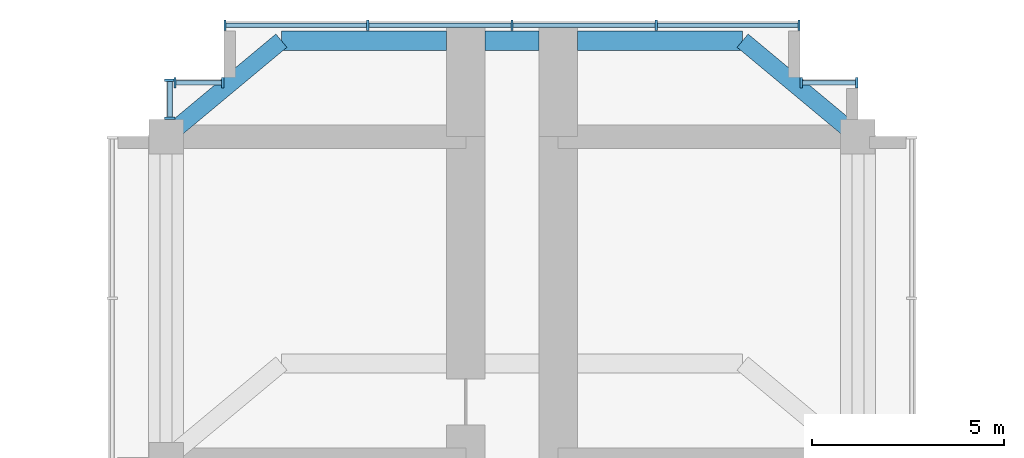
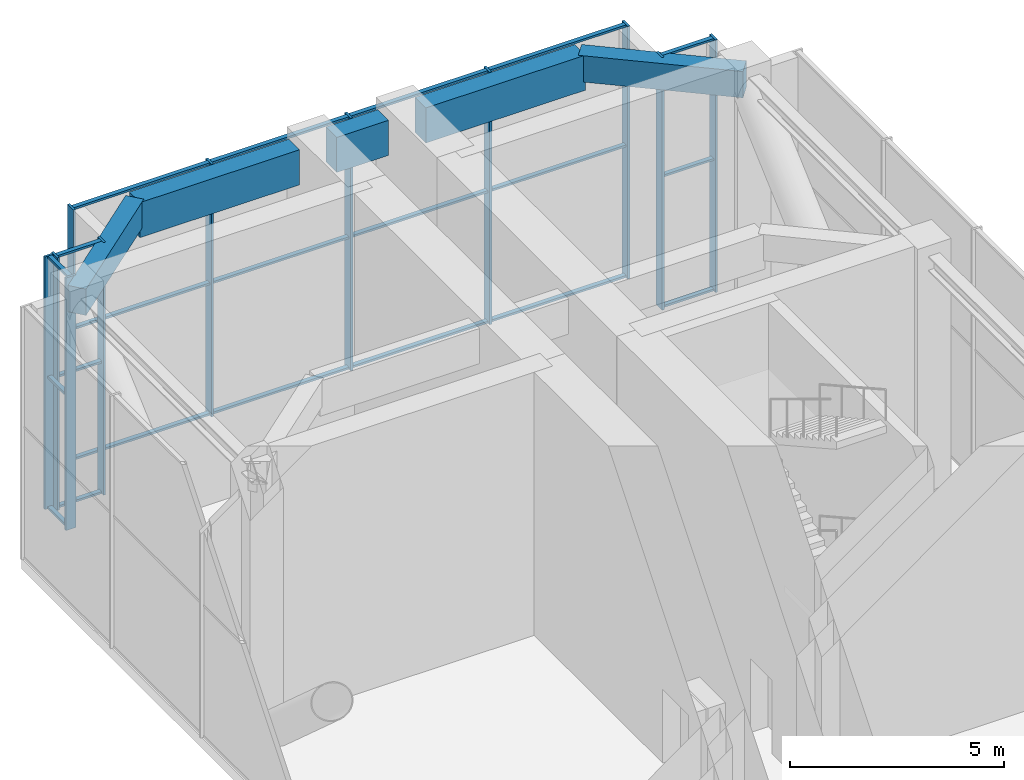
# One storey, part 8 of 16: 32 members, 5 beams, 4 elements without a shape of their own.
"""IFC4 building model written with IfcOpenShell, lengths in metres."""

from ifc_helpers import new_model, si_unit, direction, frame, origin, origin_2d, place, context, subcontext, project, spatial, rectangle, extrude, material, material_profile, profile_set, type_object, element, aggregate, save


model = new_model("IFC4")

# Units and contexts
model_context = context("Model", 3, precision=1e-05, world=origin(), true_north=direction((0.0, 1.0)))
body_context = subcontext(model_context, "Body", "Model", "MODEL_VIEW")
ifc_project = project(units=[si_unit("LENGTHUNIT", "METRE"), si_unit("AREAUNIT", "SQUARE_METRE"), si_unit("VOLUMEUNIT", "CUBIC_METRE"), si_unit("PLANEANGLEUNIT", "RADIAN"), si_unit("MASSUNIT", "GRAM", prefix="KILO")], contexts=[model_context])

# Site, building, storey
site_placement = place(None, origin())
site = spatial("IfcSite", under=ifc_project, at=site_placement, CompositionType="ELEMENT")
building_placement = place(site_placement, origin())
building = spatial("IfcBuilding", under=site, at=building_placement, Name="Impinga Residences", CompositionType="ELEMENT")
storey_placement = place(building_placement, frame((0.0, 0.0, 181.0)))
storey = spatial("IfcBuildingStorey", under=building, at=storey_placement, Name="L45", CompositionType="ELEMENT", Elevation=181.0)

# Beams
ifc_material_1 = material(Name="Concrete C60/75", Category="concrete")
ifc_material_profile_1 = material_profile(ifc_material_1, rectangle(XDim=0.449951171875, YDim=0.75, at=origin_2d()), Name="RC 450x750")
ifc_profile_set_1 = profile_set([ifc_material_profile_1], Name="Concrete C60/75")
beam_type_1 = type_object("IfcBeamType", Name="CB1 450x750 wing end cantilever beam", PredefinedType="BEAM", material=ifc_profile_set_1)
for number, where, z_axis, x_axis, name in (
    (1, (-9.0, 36.631591796875, 6.824951171875), (0.768221279597, 0.640184399664, 0.0), (-0.640184399664, 0.768221279597, 0.0), "Beam CB1 NB N4-NX level L46"),
    (2, (9.0, 36.631591796875, 6.824951171875), (-0.768221279597, 0.640184399664, 0.0), (-0.640184399664, -0.768221279597, 0.0), "Beam CB1 NE N4-NX level L46"),
):
    element("IfcBeam", number, at=place(storey_placement, frame(where, z_axis=z_axis, x_axis=x_axis)), inside=storey, type_object=beam_type_1, Name=name, PredefinedType="BEAM", context=body_context, shape_type="SweptSolid", body=[
        extrude(rectangle(XDim=0.449951171875, YDim=0.75, at=origin_2d()), origin(), (0.0, 0.0, 1.0), 3.905029296875),
    ])

# Curtain wall, members
ifc_material_2 = material(Name="Aluminium stick curtain wall", Category="aluminium")
curtain_wall_type = type_object("IfcCurtainWallType", Name="CW4 plant floor louvred curtain wall", PredefinedType="USERDEFINED", material=ifc_material_2)
curtain_wall_1_placement = place(storey_placement, origin())
curtain_wall_1 = element("IfcCurtainWall", 3, at=curtain_wall_1_placement, inside=storey, type_object=curtain_wall_type, Name="Curtain wall CW4 L45", ObjectType="STICK CURTAIN WALL", PredefinedType="USERDEFINED")
ifc_material_3 = material(Name="Aluminium mullion", Category="aluminium")
ifc_material_profile_2 = material_profile(ifc_material_3, rectangle(XDim=0.06005859375, YDim=0.27490234375, at=origin_2d()), Name="60x275 mullion")
ifc_profile_set_2 = profile_set([ifc_material_profile_2], Name="Aluminium mullion")
member_type_1 = type_object("IfcMemberType", Name="CW4-M mullion 60x275", PredefinedType="MULLION", material=ifc_profile_set_2)
member_1_placement = place(storey_placement, frame((-8.89990234375, 37.114501953125, 0.0), z_axis=(0.0, 0.0, 1.0), x_axis=(0.0, 1.0, 0.0)))
member_1 = element("IfcMember", 4, at=member_1_placement, type_object=member_type_1, Name="CW4 mullion 1", PredefinedType="MULLION", context=body_context, shape_type="SweptSolid", body=[
    extrude(rectangle(XDim=0.06005859375, YDim=0.27490234375, at=origin_2d()), origin(), (0.0, 0.0, 1.0), 7.199951171875),
])
member_2_placement = place(storey_placement, frame((-8.89990234375, 38.1015625, 0.0), z_axis=(0.0, 0.0, 1.0), x_axis=(0.0, 1.0, 0.0)))
member_2 = element("IfcMember", 5, at=member_2_placement, type_object=member_type_1, Name="CW4 mullion 2", PredefinedType="MULLION", context=body_context, shape_type="SweptSolid", body=[
    extrude(rectangle(XDim=0.06005859375, YDim=0.27490234375, at=origin_2d()), origin(), (0.0, 0.0, 1.0), 7.199951171875),
])

curtain_wall_2_placement = place(storey_placement, origin())
curtain_wall_2 = element("IfcCurtainWall", 6, at=curtain_wall_2_placement, inside=storey, type_object=curtain_wall_type, Name="Curtain wall CW4 L45", ObjectType="STICK CURTAIN WALL", PredefinedType="USERDEFINED")
member_3_placement = place(storey_placement, frame((-8.77001953125, 38.031494140625, 0.0), z_axis=(0.0, 0.0, 1.0), x_axis=(1.0, 0.0, 0.0)))
member_3 = element("IfcMember", 7, at=member_3_placement, type_object=member_type_1, Name="CW4 mullion 1", PredefinedType="MULLION", context=body_context, shape_type="SweptSolid", body=[
    extrude(rectangle(XDim=0.06005859375, YDim=0.27490234375, at=origin_2d()), origin(), (0.0, 0.0, 1.0), 7.199951171875),
])
member_4_placement = place(storey_placement, frame((-7.530029296875, 38.031494140625, 0.0), z_axis=(0.0, 0.0, 1.0), x_axis=(1.0, 0.0, 0.0)))
member_4 = element("IfcMember", 8, at=member_4_placement, type_object=member_type_1, Name="CW4 mullion 2", PredefinedType="MULLION", context=body_context, shape_type="SweptSolid", body=[
    extrude(rectangle(XDim=0.06005859375, YDim=0.27490234375, at=origin_2d()), origin(), (0.0, 0.0, 1.0), 7.199951171875),
])

curtain_wall_3_placement = place(storey_placement, origin())
curtain_wall_3 = element("IfcCurtainWall", 9, at=curtain_wall_3_placement, inside=storey, type_object=curtain_wall_type, Name="Curtain wall CW4 L45", ObjectType="STICK CURTAIN WALL", PredefinedType="USERDEFINED")
member_5_placement = place(storey_placement, frame((-7.469970703125, 39.531494140625, 0.0), z_axis=(0.0, 0.0, 1.0), x_axis=(1.0, 0.0, 0.0)))
member_5 = element("IfcMember", 10, at=member_5_placement, type_object=member_type_1, Name="CW4 mullion 1", PredefinedType="MULLION", context=body_context, shape_type="SweptSolid", body=[
    extrude(rectangle(XDim=0.06005859375, YDim=0.27490234375, at=origin_2d()), origin(), (0.0, 0.0, 1.0), 7.199951171875),
])
member_6_placement = place(storey_placement, frame((-3.75, 39.531494140625, 0.0), z_axis=(0.0, 0.0, 1.0), x_axis=(1.0, 0.0, 0.0)))
member_6 = element("IfcMember", 11, at=member_6_placement, type_object=member_type_1, Name="CW4 mullion 2", PredefinedType="MULLION", context=body_context, shape_type="SweptSolid", body=[
    extrude(rectangle(XDim=0.06005859375, YDim=0.27490234375, at=origin_2d()), origin(), (0.0, 0.0, 1.0), 7.199951171875),
])
member_7_placement = place(storey_placement, frame((0.0, 39.531494140625, 0.0), z_axis=(0.0, 0.0, 1.0), x_axis=(1.0, 0.0, 0.0)))
member_7 = element("IfcMember", 12, at=member_7_placement, type_object=member_type_1, Name="CW4 mullion 3", PredefinedType="MULLION", context=body_context, shape_type="SweptSolid", body=[
    extrude(rectangle(XDim=0.06005859375, YDim=0.27490234375, at=origin_2d()), origin(), (0.0, 0.0, 1.0), 7.199951171875),
])
member_8_placement = place(storey_placement, frame((3.75, 39.531494140625, 0.0), z_axis=(0.0, 0.0, 1.0), x_axis=(1.0, 0.0, 0.0)))
member_8 = element("IfcMember", 13, at=member_8_placement, type_object=member_type_1, Name="CW4 mullion 4", PredefinedType="MULLION", context=body_context, shape_type="SweptSolid", body=[
    extrude(rectangle(XDim=0.06005859375, YDim=0.27490234375, at=origin_2d()), origin(), (0.0, 0.0, 1.0), 7.199951171875),
])
member_9_placement = place(storey_placement, frame((7.469970703125, 39.531494140625, 0.0), z_axis=(0.0, 0.0, 1.0), x_axis=(1.0, 0.0, 0.0)))
member_9 = element("IfcMember", 14, at=member_9_placement, type_object=member_type_1, Name="CW4 mullion 5", PredefinedType="MULLION", context=body_context, shape_type="SweptSolid", body=[
    extrude(rectangle(XDim=0.06005859375, YDim=0.27490234375, at=origin_2d()), origin(), (0.0, 0.0, 1.0), 7.199951171875),
])

curtain_wall_4_placement = place(storey_placement, origin())
curtain_wall_4 = element("IfcCurtainWall", 15, at=curtain_wall_4_placement, inside=storey, type_object=curtain_wall_type, Name="Curtain wall CW4 L45", ObjectType="STICK CURTAIN WALL", PredefinedType="USERDEFINED")
member_10_placement = place(storey_placement, frame((7.530029296875, 38.031494140625, 0.0), z_axis=(0.0, 0.0, 1.0), x_axis=(1.0, 0.0, 0.0)))
member_10 = element("IfcMember", 16, at=member_10_placement, type_object=member_type_1, Name="CW4 mullion 1", PredefinedType="MULLION", context=body_context, shape_type="SweptSolid", body=[
    extrude(rectangle(XDim=0.06005859375, YDim=0.27490234375, at=origin_2d()), origin(), (0.0, 0.0, 1.0), 7.199951171875),
])
member_11_placement = place(storey_placement, frame((8.969970703125, 38.031494140625, 0.0), z_axis=(0.0, 0.0, 1.0), x_axis=(1.0, 0.0, 0.0)))
member_11 = element("IfcMember", 17, at=member_11_placement, type_object=member_type_1, Name="CW4 mullion 2", PredefinedType="MULLION", context=body_context, shape_type="SweptSolid", body=[
    extrude(rectangle(XDim=0.06005859375, YDim=0.27490234375, at=origin_2d()), origin(), (0.0, 0.0, 1.0), 7.199951171875),
])

# Member
ifc_material_4 = material(Name="Aluminium transom", Category="aluminium")
ifc_material_profile_3 = material_profile(ifc_material_4, rectangle(XDim=0.06005859375, YDim=0.1201171875, at=origin_2d()), Name="60x120 transom")
ifc_profile_set_3 = profile_set([ifc_material_profile_3], Name="Aluminium transom")
member_type_2 = type_object("IfcMemberType", Name="CW4-T transom 60x120", PredefinedType="USERDEFINED", material=ifc_profile_set_3)
member_12_placement = place(storey_placement, frame((-8.89990234375, 37.14453125, 0.030029296875), z_axis=(0.0, 1.0, 0.0), x_axis=(0.0, 0.0, 1.0)))
member_12 = element("IfcMember", 18, at=member_12_placement, type_object=member_type_2, Name="CW4 transom 1.1", ObjectType="TRANSOM", PredefinedType="USERDEFINED", context=body_context, shape_type="SweptSolid", body=[
    extrude(rectangle(XDim=0.06005859375, YDim=0.1201171875, at=origin_2d()), origin(), (0.0, 0.0, 1.0), 0.927001953125),
])

member_13_placement = place(storey_placement, frame((-8.89990234375, 37.14453125, 3.75), z_axis=(0.0, 1.0, 0.0), x_axis=(0.0, 0.0, 1.0)))
member_13 = element("IfcMember", 19, at=member_13_placement, type_object=member_type_2, Name="CW4 transom 1.2", ObjectType="TRANSOM", PredefinedType="USERDEFINED", context=body_context, shape_type="SweptSolid", body=[
    extrude(rectangle(XDim=0.06005859375, YDim=0.1201171875, at=origin_2d()), origin(), (0.0, 0.0, 1.0), 0.927001953125),
])

member_14_placement = place(storey_placement, frame((-8.89990234375, 37.14453125, 7.169921875), z_axis=(0.0, 1.0, 0.0), x_axis=(0.0, 0.0, 1.0)))
member_14 = element("IfcMember", 20, at=member_14_placement, type_object=member_type_2, Name="CW4 transom 1.3", ObjectType="TRANSOM", PredefinedType="USERDEFINED", context=body_context, shape_type="SweptSolid", body=[
    extrude(rectangle(XDim=0.06005859375, YDim=0.1201171875, at=origin_2d()), origin(), (0.0, 0.0, 1.0), 0.927001953125),
])

aggregate(curtain_wall_1, [member_1, member_2, member_12, member_13, member_14])

member_15_placement = place(storey_placement, frame((-8.739990234375, 38.031494140625, 0.030029296875), z_axis=(1.0, 0.0, 0.0), x_axis=(0.0, 0.0, 1.0)))
member_15 = element("IfcMember", 21, at=member_15_placement, type_object=member_type_2, Name="CW4 transom 1.1", ObjectType="TRANSOM", PredefinedType="USERDEFINED", context=body_context, shape_type="SweptSolid", body=[
    extrude(rectangle(XDim=0.06005859375, YDim=0.1201171875, at=origin_2d()), origin(), (0.0, 0.0, 1.0), 1.179931640625),
])

member_16_placement = place(storey_placement, frame((-8.739990234375, 38.031494140625, 3.75), z_axis=(1.0, 0.0, 0.0), x_axis=(0.0, 0.0, 1.0)))
member_16 = element("IfcMember", 22, at=member_16_placement, type_object=member_type_2, Name="CW4 transom 1.2", ObjectType="TRANSOM", PredefinedType="USERDEFINED", context=body_context, shape_type="SweptSolid", body=[
    extrude(rectangle(XDim=0.06005859375, YDim=0.1201171875, at=origin_2d()), origin(), (0.0, 0.0, 1.0), 1.179931640625),
])

member_17_placement = place(storey_placement, frame((-8.739990234375, 38.031494140625, 7.169921875), z_axis=(1.0, 0.0, 0.0), x_axis=(0.0, 0.0, 1.0)))
member_17 = element("IfcMember", 23, at=member_17_placement, type_object=member_type_2, Name="CW4 transom 1.3", ObjectType="TRANSOM", PredefinedType="USERDEFINED", context=body_context, shape_type="SweptSolid", body=[
    extrude(rectangle(XDim=0.06005859375, YDim=0.1201171875, at=origin_2d()), origin(), (0.0, 0.0, 1.0), 1.179931640625),
])

aggregate(curtain_wall_2, [member_3, member_4, member_15, member_16, member_17])

member_18_placement = place(storey_placement, frame((-7.43994140625, 39.531494140625, 0.030029296875), z_axis=(1.0, 0.0, 0.0), x_axis=(0.0, 0.0, 1.0)))
member_18 = element("IfcMember", 24, at=member_18_placement, type_object=member_type_2, Name="CW4 transom 1.1", ObjectType="TRANSOM", PredefinedType="USERDEFINED", context=body_context, shape_type="SweptSolid", body=[
    extrude(rectangle(XDim=0.06005859375, YDim=0.1201171875, at=origin_2d()), origin(), (0.0, 0.0, 1.0), 3.659912109375),
])

member_19_placement = place(storey_placement, frame((-7.43994140625, 39.531494140625, 3.75), z_axis=(1.0, 0.0, 0.0), x_axis=(0.0, 0.0, 1.0)))
member_19 = element("IfcMember", 25, at=member_19_placement, type_object=member_type_2, Name="CW4 transom 1.2", ObjectType="TRANSOM", PredefinedType="USERDEFINED", context=body_context, shape_type="SweptSolid", body=[
    extrude(rectangle(XDim=0.06005859375, YDim=0.1201171875, at=origin_2d()), origin(), (0.0, 0.0, 1.0), 3.659912109375),
])

member_20_placement = place(storey_placement, frame((-7.43994140625, 39.531494140625, 7.169921875), z_axis=(1.0, 0.0, 0.0), x_axis=(0.0, 0.0, 1.0)))
member_20 = element("IfcMember", 26, at=member_20_placement, type_object=member_type_2, Name="CW4 transom 1.3", ObjectType="TRANSOM", PredefinedType="USERDEFINED", context=body_context, shape_type="SweptSolid", body=[
    extrude(rectangle(XDim=0.06005859375, YDim=0.1201171875, at=origin_2d()), origin(), (0.0, 0.0, 1.0), 3.659912109375),
])

member_21_placement = place(storey_placement, frame((-3.719970703125, 39.531494140625, 0.030029296875), z_axis=(1.0, 0.0, 0.0), x_axis=(0.0, 0.0, 1.0)))
member_21 = element("IfcMember", 27, at=member_21_placement, type_object=member_type_2, Name="CW4 transom 2.1", ObjectType="TRANSOM", PredefinedType="USERDEFINED", context=body_context, shape_type="SweptSolid", body=[
    extrude(rectangle(XDim=0.06005859375, YDim=0.1201171875, at=origin_2d()), origin(), (0.0, 0.0, 1.0), 3.68994140625),
])

member_22_placement = place(storey_placement, frame((-3.719970703125, 39.531494140625, 3.75), z_axis=(1.0, 0.0, 0.0), x_axis=(0.0, 0.0, 1.0)))
member_22 = element("IfcMember", 28, at=member_22_placement, type_object=member_type_2, Name="CW4 transom 2.2", ObjectType="TRANSOM", PredefinedType="USERDEFINED", context=body_context, shape_type="SweptSolid", body=[
    extrude(rectangle(XDim=0.06005859375, YDim=0.1201171875, at=origin_2d()), origin(), (0.0, 0.0, 1.0), 3.68994140625),
])

member_23_placement = place(storey_placement, frame((-3.719970703125, 39.531494140625, 7.169921875), z_axis=(1.0, 0.0, 0.0), x_axis=(0.0, 0.0, 1.0)))
member_23 = element("IfcMember", 29, at=member_23_placement, type_object=member_type_2, Name="CW4 transom 2.3", ObjectType="TRANSOM", PredefinedType="USERDEFINED", context=body_context, shape_type="SweptSolid", body=[
    extrude(rectangle(XDim=0.06005859375, YDim=0.1201171875, at=origin_2d()), origin(), (0.0, 0.0, 1.0), 3.68994140625),
])

member_24_placement = place(storey_placement, frame((0.030029296875, 39.531494140625, 0.030029296875), z_axis=(1.0, 0.0, 0.0), x_axis=(0.0, 0.0, 1.0)))
member_24 = element("IfcMember", 30, at=member_24_placement, type_object=member_type_2, Name="CW4 transom 3.1", ObjectType="TRANSOM", PredefinedType="USERDEFINED", context=body_context, shape_type="SweptSolid", body=[
    extrude(rectangle(XDim=0.06005859375, YDim=0.1201171875, at=origin_2d()), origin(), (0.0, 0.0, 1.0), 3.68994140625),
])

member_25_placement = place(storey_placement, frame((0.030029296875, 39.531494140625, 3.75), z_axis=(1.0, 0.0, 0.0), x_axis=(0.0, 0.0, 1.0)))
member_25 = element("IfcMember", 31, at=member_25_placement, type_object=member_type_2, Name="CW4 transom 3.2", ObjectType="TRANSOM", PredefinedType="USERDEFINED", context=body_context, shape_type="SweptSolid", body=[
    extrude(rectangle(XDim=0.06005859375, YDim=0.1201171875, at=origin_2d()), origin(), (0.0, 0.0, 1.0), 3.68994140625),
])

member_26_placement = place(storey_placement, frame((0.030029296875, 39.531494140625, 7.169921875), z_axis=(1.0, 0.0, 0.0), x_axis=(0.0, 0.0, 1.0)))
member_26 = element("IfcMember", 32, at=member_26_placement, type_object=member_type_2, Name="CW4 transom 3.3", ObjectType="TRANSOM", PredefinedType="USERDEFINED", context=body_context, shape_type="SweptSolid", body=[
    extrude(rectangle(XDim=0.06005859375, YDim=0.1201171875, at=origin_2d()), origin(), (0.0, 0.0, 1.0), 3.68994140625),
])

member_27_placement = place(storey_placement, frame((3.780029296875, 39.531494140625, 0.030029296875), z_axis=(1.0, 0.0, 0.0), x_axis=(0.0, 0.0, 1.0)))
member_27 = element("IfcMember", 33, at=member_27_placement, type_object=member_type_2, Name="CW4 transom 4.1", ObjectType="TRANSOM", PredefinedType="USERDEFINED", context=body_context, shape_type="SweptSolid", body=[
    extrude(rectangle(XDim=0.06005859375, YDim=0.1201171875, at=origin_2d()), origin(), (0.0, 0.0, 1.0), 3.659912109375),
])

member_28_placement = place(storey_placement, frame((3.780029296875, 39.531494140625, 3.75), z_axis=(1.0, 0.0, 0.0), x_axis=(0.0, 0.0, 1.0)))
member_28 = element("IfcMember", 34, at=member_28_placement, type_object=member_type_2, Name="CW4 transom 4.2", ObjectType="TRANSOM", PredefinedType="USERDEFINED", context=body_context, shape_type="SweptSolid", body=[
    extrude(rectangle(XDim=0.06005859375, YDim=0.1201171875, at=origin_2d()), origin(), (0.0, 0.0, 1.0), 3.659912109375),
])

member_29_placement = place(storey_placement, frame((3.780029296875, 39.531494140625, 7.169921875), z_axis=(1.0, 0.0, 0.0), x_axis=(0.0, 0.0, 1.0)))
member_29 = element("IfcMember", 35, at=member_29_placement, type_object=member_type_2, Name="CW4 transom 4.3", ObjectType="TRANSOM", PredefinedType="USERDEFINED", context=body_context, shape_type="SweptSolid", body=[
    extrude(rectangle(XDim=0.06005859375, YDim=0.1201171875, at=origin_2d()), origin(), (0.0, 0.0, 1.0), 3.659912109375),
])

aggregate(curtain_wall_3, [member_5, member_6, member_7, member_8, member_9, member_18, member_19, member_20, member_21, member_22, member_23, member_24, member_25, member_26, member_27, member_28, member_29])

member_30_placement = place(storey_placement, frame((7.56005859375, 38.031494140625, 0.030029296875), z_axis=(1.0, 0.0, 0.0), x_axis=(0.0, 0.0, 1.0)))
member_30 = element("IfcMember", 36, at=member_30_placement, type_object=member_type_2, Name="CW4 transom 1.1", ObjectType="TRANSOM", PredefinedType="USERDEFINED", context=body_context, shape_type="SweptSolid", body=[
    extrude(rectangle(XDim=0.06005859375, YDim=0.1201171875, at=origin_2d()), origin(), (0.0, 0.0, 1.0), 1.3798828125),
])

member_31_placement = place(storey_placement, frame((7.56005859375, 38.031494140625, 3.75), z_axis=(1.0, 0.0, 0.0), x_axis=(0.0, 0.0, 1.0)))
member_31 = element("IfcMember", 37, at=member_31_placement, type_object=member_type_2, Name="CW4 transom 1.2", ObjectType="TRANSOM", PredefinedType="USERDEFINED", context=body_context, shape_type="SweptSolid", body=[
    extrude(rectangle(XDim=0.06005859375, YDim=0.1201171875, at=origin_2d()), origin(), (0.0, 0.0, 1.0), 1.3798828125),
])

member_32_placement = place(storey_placement, frame((7.56005859375, 38.031494140625, 7.169921875), z_axis=(1.0, 0.0, 0.0), x_axis=(0.0, 0.0, 1.0)))
member_32 = element("IfcMember", 38, at=member_32_placement, type_object=member_type_2, Name="CW4 transom 1.3", ObjectType="TRANSOM", PredefinedType="USERDEFINED", context=body_context, shape_type="SweptSolid", body=[
    extrude(rectangle(XDim=0.06005859375, YDim=0.1201171875, at=origin_2d()), origin(), (0.0, 0.0, 1.0), 1.3798828125),
])

aggregate(curtain_wall_4, [member_10, member_11, member_30, member_31, member_32])

# Beams
ifc_material_profile_4 = material_profile(ifc_material_1, rectangle(XDim=0.5, YDim=1.0, at=origin_2d()), Name="RC 500x1000")
ifc_profile_set_4 = profile_set([ifc_material_profile_4], Name="Concrete C60/75")
beam_type_2 = type_object("IfcBeamType", Name="EB1 500x1000 wing end beam", PredefinedType="BEAM", material=ifc_profile_set_4)
beam_1_placement = place(storey_placement, frame((-6.0, 39.131591796875, 6.699951171875), z_axis=(1.0, 0.0, 0.0), x_axis=(0.0, 1.0, 0.0)))
element("IfcBeam", 39, at=beam_1_placement, inside=storey, type_object=beam_type_2, Name="Beam EB1 NX3 level L46", PredefinedType="BEAM", context=body_context, shape_type="SweptSolid", body=[
    extrude(rectangle(XDim=0.5, YDim=1.0, at=origin_2d()), origin(), (0.0, 0.0, 1.0), 4.300048828125),
])
beam_2_placement = place(storey_placement, frame((-0.699951171875, 39.131591796875, 6.699951171875), z_axis=(1.0, 0.0, 0.0), x_axis=(0.0, 1.0, 0.0)))
element("IfcBeam", 40, at=beam_2_placement, inside=storey, type_object=beam_type_2, Name="Beam EB1 NX3 level L46", PredefinedType="BEAM", context=body_context, shape_type="SweptSolid", body=[
    extrude(rectangle(XDim=0.5, YDim=1.0, at=origin_2d()), origin(), (0.0, 0.0, 1.0), 1.39990234375),
])
beam_3_placement = place(storey_placement, frame((1.699951171875, 39.131591796875, 6.699951171875), z_axis=(1.0, 0.0, 0.0), x_axis=(0.0, 1.0, 0.0)))
element("IfcBeam", 41, at=beam_3_placement, inside=storey, type_object=beam_type_2, Name="Beam EB1 NX3 level L46", PredefinedType="BEAM", context=body_context, shape_type="SweptSolid", body=[
    extrude(rectangle(XDim=0.5, YDim=1.0, at=origin_2d()), origin(), (0.0, 0.0, 1.0), 4.300048828125),
])

save(model, "model.ifc")
